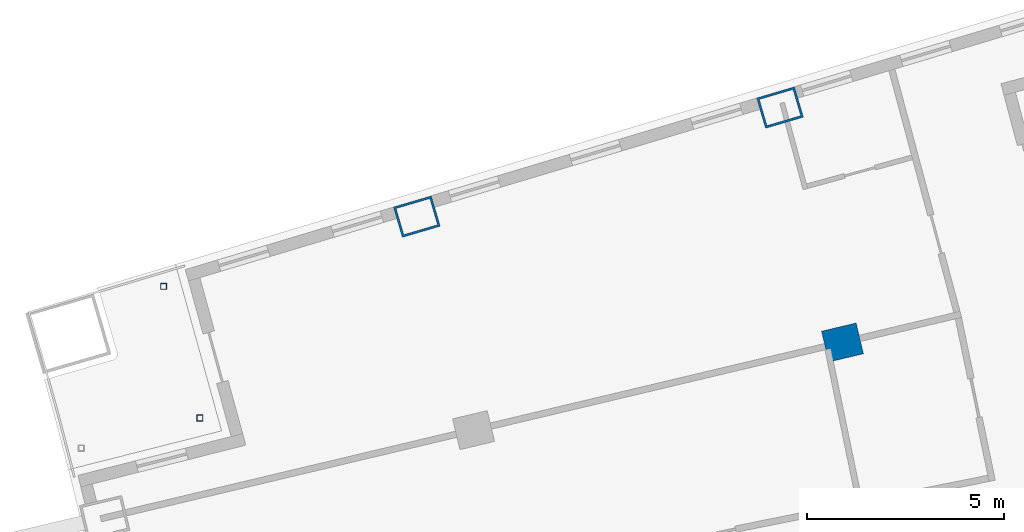
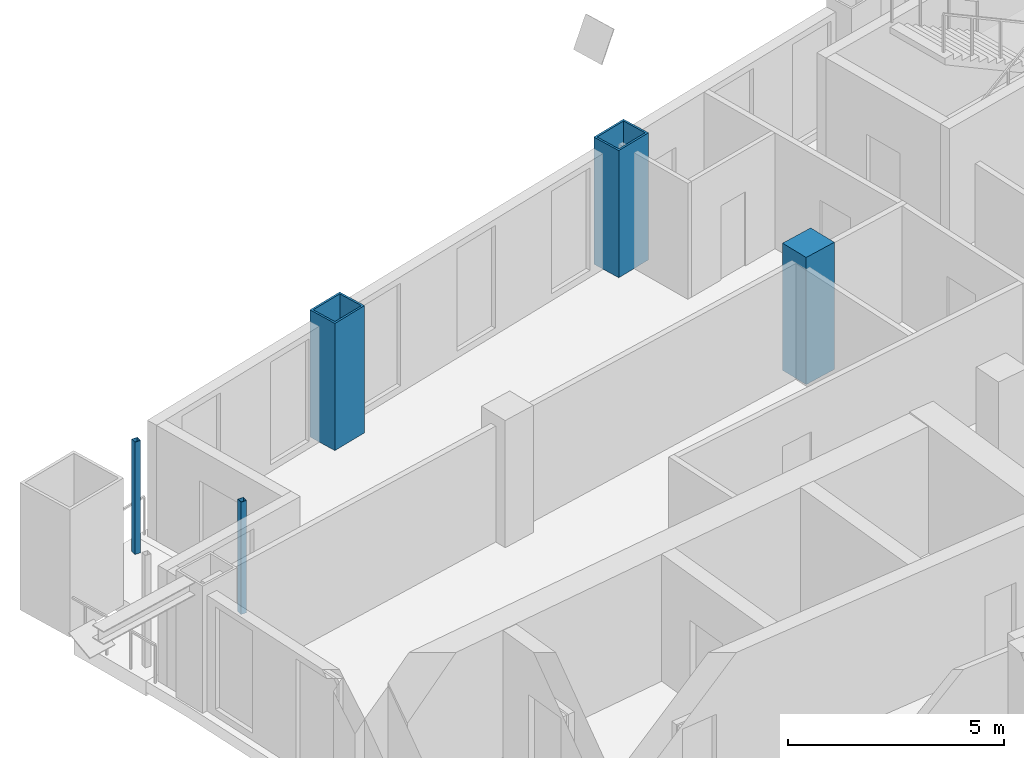
# One storey, part 7 of 20: 5 columns.
"""IFC4 building model written with IfcOpenShell, lengths in metres."""

from ifc_helpers import new_model, si_unit, direction, frame, origin, origin_2d, place, context, subcontext, project, spatial, rectangle, hollow_rectangle, extrude, material, material_profile, profile_set, type_object, element, save


model = new_model("IFC4")

# Units and contexts
model_context = context("Model", 3, precision=1e-05, world=origin(), true_north=direction((0.0, 1.0)))
body_context = subcontext(model_context, "Body", "Model", "MODEL_VIEW")
ifc_project = project(units=[si_unit("LENGTHUNIT", "METRE"), si_unit("AREAUNIT", "SQUARE_METRE"), si_unit("VOLUMEUNIT", "CUBIC_METRE"), si_unit("PLANEANGLEUNIT", "RADIAN"), si_unit("MASSUNIT", "GRAM", prefix="KILO")], contexts=[model_context])

# Site, building, storey
site_placement = place(None, origin())
site = spatial("IfcSite", under=ifc_project, at=site_placement, CompositionType="ELEMENT")
building_placement = place(site_placement, origin())
building = spatial("IfcBuilding", under=site, at=building_placement, Name="Alderwake Tower", CompositionType="ELEMENT")
storey_placement = place(building_placement, frame((0.0, 0.0, 167.60009765625)))
storey = spatial("IfcBuildingStorey", under=building, at=storey_placement, Name="L41", CompositionType="ELEMENT", Elevation=167.60009765625)

# Columns
ifc_material_1 = material(Name="Steel ASTM A572 Grade 50 concrete filled C70/85", Category="concrete")
ifc_material_profile_1 = material_profile(ifc_material_1, hollow_rectangle(XDim=0.800048828125, YDim=1.0, WallThickness=0.054931640625, at=origin_2d()), Name="BOX 1000X800X55")
ifc_profile_set_1 = profile_set([ifc_material_profile_1], Name="Steel ASTM A572 Grade 50 concrete filled C70/85")
column_type_1 = type_object("IfcColumnType", Name="End column Z3", PredefinedType="COLUMN", material=ifc_profile_set_1)
for number, where, z_axis, x_axis, name in (
    (1, (21.885498046875, 90.96240234375, 0.0), (0.0, 0.0, 1.0), (-0.282132160283, 0.95937554906, 0.0), "Column R12-C1"),
    (2, (31.080322265625, 93.72314453125, 0.0), (0.0, 0.0, 1.0), (-0.282582549822, 0.959242984095, 0.0), "Column R12-C2"),
):
    element("IfcColumn", number, at=place(storey_placement, frame(where, z_axis=z_axis, x_axis=x_axis)), inside=storey, type_object=column_type_1, Name=name, PredefinedType="COLUMN", context=body_context, shape_type="SweptSolid", body=[
        extrude(hollow_rectangle(XDim=0.800048828125, YDim=1.0, WallThickness=0.054931640625, at=origin_2d()), origin(), (0.0, 0.0, 1.0), 3.599853515625),
    ])
ifc_material_2 = material(Name="Concrete C70/85", Category="concrete")
ifc_material_profile_2 = material_profile(ifc_material_2, rectangle(XDim=0.800048828125, YDim=0.89990234375, at=origin_2d()), Name="RC 900X800")
ifc_profile_set_2 = profile_set([ifc_material_profile_2], Name="Concrete C70/85")
column_type_2 = type_object("IfcColumnType", Name="Interior column Z3", PredefinedType="COLUMN", material=ifc_profile_set_2)
column_placement = place(storey_placement, frame((32.661865234375, 87.775390625, 0.0), z_axis=(0.0, 0.0, 1.0), x_axis=(-0.231221547198, 0.972901123502, 0.0)))
element("IfcColumn", 3, at=column_placement, inside=storey, type_object=column_type_2, Name="Column R11-C2", PredefinedType="COLUMN", context=body_context, shape_type="SweptSolid", body=[
    extrude(rectangle(XDim=0.800048828125, YDim=0.89990234375, at=origin_2d()), origin(), (0.0, 0.0, 1.0), 3.599853515625),
])
ifc_material_3 = material(Name="Steel ASTM A500 Grade C", Category="steel")
ifc_material_profile_3 = material_profile(ifc_material_3, hollow_rectangle(XDim=0.15234375, YDim=0.15234375, WallThickness=0.0087890625, at=origin_2d()), Name="HSS6X6X3/8")
ifc_profile_set_3 = profile_set([ifc_material_profile_3], Name="Steel ASTM A500 Grade C")
column_type_3 = type_object("IfcColumnType", Name="Light post HSS6X6X3/8", PredefinedType="COLUMN", material=ifc_profile_set_3)
for number, where, z_axis, x_axis, name in (
    (4, (15.47412109375, 89.194091796875, 0.0), (0.0, 0.0, 1.0), (1.0, 0.0, 0.0), "Terrace post RN2"),
    (5, (16.39501953125, 85.864013671875, 0.0), (0.0, 0.0, 1.0), (1.0, 0.0, 0.0), "Terrace post RN3"),
):
    element("IfcColumn", number, at=place(storey_placement, frame(where, z_axis=z_axis, x_axis=x_axis)), inside=storey, type_object=column_type_3, Name=name, PredefinedType="COLUMN", context=body_context, shape_type="SweptSolid", body=[
        extrude(hollow_rectangle(XDim=0.15234375, YDim=0.15234375, WallThickness=0.0087890625, at=origin_2d()), origin(), (0.0, 0.0, 1.0), 3.179931640625),
    ])

save(model, "model.ifc")
